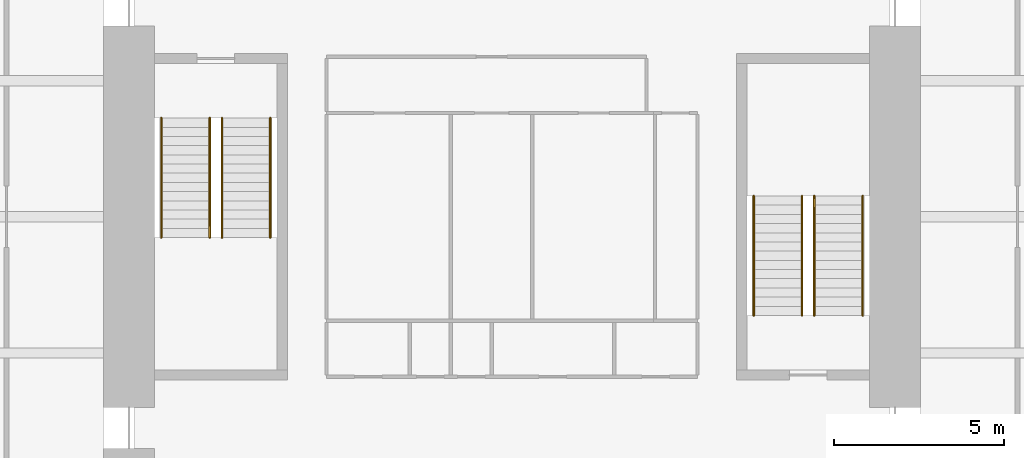
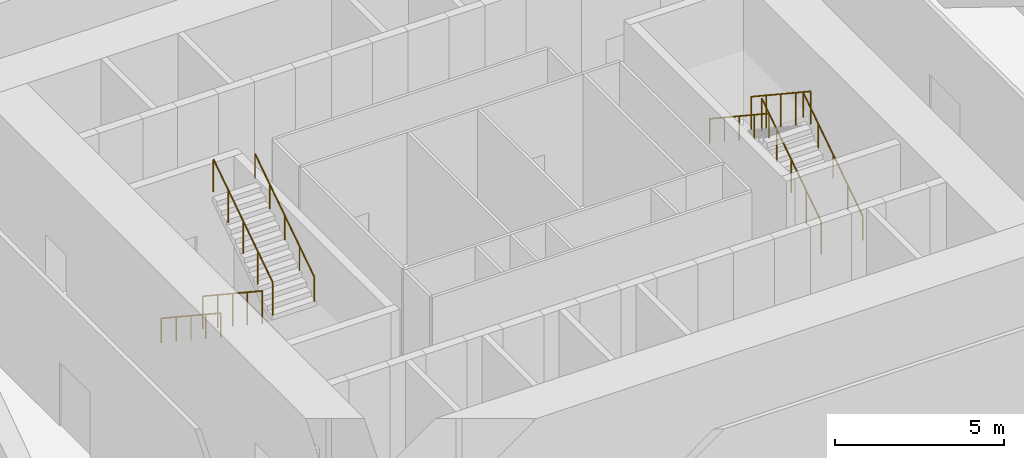
# One storey, part 6 of 6: 8 railings.
"""IFC4 building model written with IfcOpenShell, lengths in metres."""

from ifc_helpers import new_model, si_unit, direction, frame, origin, origin_2d, place, context, subcontext, project, spatial, circle, extrude, material, type_object, element, save


model = new_model("IFC4")

# Units and contexts
model_context = context("Model", 3, precision=1e-05, world=origin(), true_north=direction((0.0, 1.0)))
body_context = subcontext(model_context, "Body", "Model", "MODEL_VIEW")
ifc_project = project(units=[si_unit("LENGTHUNIT", "METRE"), si_unit("AREAUNIT", "SQUARE_METRE"), si_unit("VOLUMEUNIT", "CUBIC_METRE"), si_unit("PLANEANGLEUNIT", "RADIAN"), si_unit("MASSUNIT", "GRAM", prefix="KILO")], contexts=[model_context])

# Site, building, storey
site_placement = place(None, origin())
site = spatial("IfcSite", under=ifc_project, at=site_placement, CompositionType="ELEMENT")
building_placement = place(site_placement, origin())
building = spatial("IfcBuilding", under=site, at=building_placement, Name="Peilmerk Tower", CompositionType="ELEMENT")
storey_placement = place(building_placement, frame((0.0, 0.0, 297.800048828125)))
storey = spatial("IfcBuildingStorey", under=building, at=storey_placement, Name="L67", CompositionType="ELEMENT", Elevation=297.800048828125)

# Railings
ifc_material_1 = material(Name="Steel flat bar balustrade", Category="steel")
railing_type_1 = type_object("IfcRailingType", Name="GR1 1200 stair guard", PredefinedType="GUARDRAIL", material=ifc_material_1)
railing_1_placement = place(storey_placement, frame((-8.8798828125, 2.89990234375, 0.178466796875)))
element("IfcRailing", 1, at=railing_1_placement, inside=storey, type_object=railing_type_1, Name="Guard stair 1 L67", PredefinedType="GUARDRAIL", context=body_context, shape_type="SweptSolid", body=[
    extrude(circle(Radius=0.02392578125, at=origin_2d()), frame((0.0, 0.0, 1.17578125), z_axis=(0.0, -0.834070780157, 0.551657442339), x_axis=(1.0, 0.0, 0.0)), (0.0, 0.0, 1.0), 4.208251953125),
    extrude(circle(Radius=0.02099609375, at=origin_2d()), origin(), (0.0, 0.0, 1.0), 1.15185546875),
    extrude(circle(Radius=0.02099609375, at=origin_2d()), frame((0.0, -0.87744140625, 0.580322265625)), (0.0, 0.0, 1.0), 1.15185546875),
    extrude(circle(Radius=0.02099609375, at=origin_2d()), frame((0.0, -1.7548828125, 1.16064453125)), (0.0, 0.0, 1.0), 1.15185546875),
    extrude(circle(Radius=0.02099609375, at=origin_2d()), frame((0.0, -2.632568359375, 1.7412109375)), (0.0, 0.0, 1.0), 1.15185546875),
    extrude(circle(Radius=0.02099609375, at=origin_2d()), frame((0.0, -3.510009765625, 2.321533203125)), (0.0, 0.0, 1.0), 1.15185546875),
])
for number, where, name in (
    (2, (-8.52001953125, -0.610107421875, 2.678466796875), "Guard stair 1 L67"),
    (3, (8.8798828125, -2.89990234375, 0.178466796875), "Guard stair 2 L67"),
):
    element("IfcRailing", number, at=place(storey_placement, frame(where)), inside=storey, type_object=railing_type_1, Name=name, PredefinedType="GUARDRAIL", context=body_context, shape_type="SweptSolid", body=[
        extrude(circle(Radius=0.02392578125, at=origin_2d()), frame((0.0, 0.0, 1.17578125), z_axis=(0.0, 0.834070780157, 0.551657442339), x_axis=(-1.0, 0.0, 0.0)), (0.0, 0.0, 1.0), 4.208251953125),
        extrude(circle(Radius=0.02099609375, at=origin_2d()), origin(), (0.0, 0.0, 1.0), 1.15185546875),
        extrude(circle(Radius=0.02099609375, at=origin_2d()), frame((0.0, 0.87744140625, 0.580322265625)), (0.0, 0.0, 1.0), 1.15185546875),
        extrude(circle(Radius=0.02099609375, at=origin_2d()), frame((0.0, 1.7548828125, 1.16064453125)), (0.0, 0.0, 1.0), 1.15185546875),
        extrude(circle(Radius=0.02099609375, at=origin_2d()), frame((0.0, 2.632568359375, 1.7412109375)), (0.0, 0.0, 1.0), 1.15185546875),
        extrude(circle(Radius=0.02099609375, at=origin_2d()), frame((0.0, 3.510009765625, 2.321533203125)), (0.0, 0.0, 1.0), 1.15185546875),
    ])
railing_2_placement = place(storey_placement, frame((8.52001953125, 0.610107421875, 2.678466796875)))
element("IfcRailing", 4, at=railing_2_placement, inside=storey, type_object=railing_type_1, Name="Guard stair 2 L67", PredefinedType="GUARDRAIL", context=body_context, shape_type="SweptSolid", body=[
    extrude(circle(Radius=0.02392578125, at=origin_2d()), frame((0.0, 0.0, 1.17578125), z_axis=(0.0, -0.834070780157, 0.551657442339), x_axis=(1.0, 0.0, 0.0)), (0.0, 0.0, 1.0), 4.208251953125),
    extrude(circle(Radius=0.02099609375, at=origin_2d()), origin(), (0.0, 0.0, 1.0), 1.15185546875),
    extrude(circle(Radius=0.02099609375, at=origin_2d()), frame((0.0, -0.87744140625, 0.580322265625)), (0.0, 0.0, 1.0), 1.15185546875),
    extrude(circle(Radius=0.02099609375, at=origin_2d()), frame((0.0, -1.7548828125, 1.16064453125)), (0.0, 0.0, 1.0), 1.15185546875),
    extrude(circle(Radius=0.02099609375, at=origin_2d()), frame((0.0, -2.632568359375, 1.7412109375)), (0.0, 0.0, 1.0), 1.15185546875),
    extrude(circle(Radius=0.02099609375, at=origin_2d()), frame((0.0, -3.510009765625, 2.321533203125)), (0.0, 0.0, 1.0), 1.15185546875),
])
ifc_material_2 = material(Name="Stainless steel tube", Category="steel")
railing_type_2 = type_object("IfcRailingType", Name="HR1 900 stair handrail", PredefinedType="HANDRAIL", material=ifc_material_2)
railing_3_placement = place(storey_placement, frame((-10.300048828125, 2.89990234375, 0.178466796875)))
element("IfcRailing", 5, at=railing_3_placement, inside=storey, type_object=railing_type_2, Name="Handrail stair 1 L67", PredefinedType="HANDRAIL", context=body_context, shape_type="SweptSolid", body=[
    extrude(circle(Radius=0.02392578125, at=origin_2d()), frame((0.0, 0.0, 0.8759765625), z_axis=(0.0, -0.834070780157, 0.551657442339), x_axis=(1.0, 0.0, 0.0)), (0.0, 0.0, 1.0), 4.208251953125),
    extrude(circle(Radius=0.02099609375, at=origin_2d()), origin(), (0.0, 0.0, 1.0), 0.851806640625),
    extrude(circle(Radius=0.02099609375, at=origin_2d()), frame((0.0, -0.87744140625, 0.580322265625)), (0.0, 0.0, 1.0), 0.851806640625),
    extrude(circle(Radius=0.02099609375, at=origin_2d()), frame((0.0, -1.7548828125, 1.16064453125)), (0.0, 0.0, 1.0), 0.851806640625),
    extrude(circle(Radius=0.02099609375, at=origin_2d()), frame((0.0, -2.632568359375, 1.7412109375)), (0.0, 0.0, 1.0), 0.851806640625),
    extrude(circle(Radius=0.02099609375, at=origin_2d()), frame((0.0, -3.510009765625, 2.321533203125)), (0.0, 0.0, 1.0), 0.851806640625),
])
for number, where, name in (
    (6, (-7.10009765625, -0.610107421875, 2.678466796875), "Handrail stair 1 L67"),
    (7, (10.300048828125, -2.89990234375, 0.178466796875), "Handrail stair 2 L67"),
):
    element("IfcRailing", number, at=place(storey_placement, frame(where)), inside=storey, type_object=railing_type_2, Name=name, PredefinedType="HANDRAIL", context=body_context, shape_type="SweptSolid", body=[
        extrude(circle(Radius=0.02392578125, at=origin_2d()), frame((0.0, 0.0, 0.8759765625), z_axis=(0.0, 0.834070780157, 0.551657442339), x_axis=(-1.0, 0.0, 0.0)), (0.0, 0.0, 1.0), 4.208251953125),
        extrude(circle(Radius=0.02099609375, at=origin_2d()), origin(), (0.0, 0.0, 1.0), 0.851806640625),
        extrude(circle(Radius=0.02099609375, at=origin_2d()), frame((0.0, 0.87744140625, 0.580322265625)), (0.0, 0.0, 1.0), 0.851806640625),
        extrude(circle(Radius=0.02099609375, at=origin_2d()), frame((0.0, 1.7548828125, 1.16064453125)), (0.0, 0.0, 1.0), 0.851806640625),
        extrude(circle(Radius=0.02099609375, at=origin_2d()), frame((0.0, 2.632568359375, 1.7412109375)), (0.0, 0.0, 1.0), 0.851806640625),
        extrude(circle(Radius=0.02099609375, at=origin_2d()), frame((0.0, 3.510009765625, 2.321533203125)), (0.0, 0.0, 1.0), 0.851806640625),
    ])
railing_4_placement = place(storey_placement, frame((7.10009765625, 0.610107421875, 2.678466796875)))
element("IfcRailing", 8, at=railing_4_placement, inside=storey, type_object=railing_type_2, Name="Handrail stair 2 L67", PredefinedType="HANDRAIL", context=body_context, shape_type="SweptSolid", body=[
    extrude(circle(Radius=0.02392578125, at=origin_2d()), frame((0.0, 0.0, 0.8759765625), z_axis=(0.0, -0.834070780157, 0.551657442339), x_axis=(1.0, 0.0, 0.0)), (0.0, 0.0, 1.0), 4.208251953125),
    extrude(circle(Radius=0.02099609375, at=origin_2d()), origin(), (0.0, 0.0, 1.0), 0.851806640625),
    extrude(circle(Radius=0.02099609375, at=origin_2d()), frame((0.0, -0.87744140625, 0.580322265625)), (0.0, 0.0, 1.0), 0.851806640625),
    extrude(circle(Radius=0.02099609375, at=origin_2d()), frame((0.0, -1.7548828125, 1.16064453125)), (0.0, 0.0, 1.0), 0.851806640625),
    extrude(circle(Radius=0.02099609375, at=origin_2d()), frame((0.0, -2.632568359375, 1.7412109375)), (0.0, 0.0, 1.0), 0.851806640625),
    extrude(circle(Radius=0.02099609375, at=origin_2d()), frame((0.0, -3.510009765625, 2.321533203125)), (0.0, 0.0, 1.0), 0.851806640625),
])

save(model, "model.ifc")
